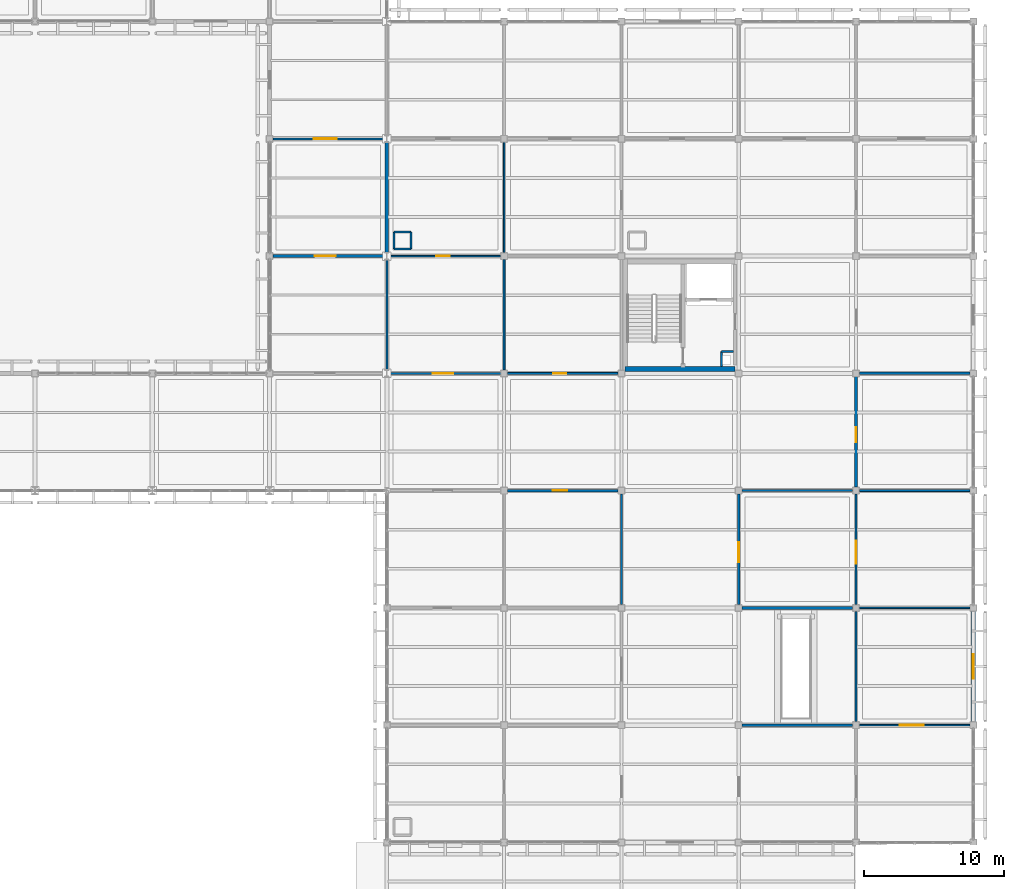
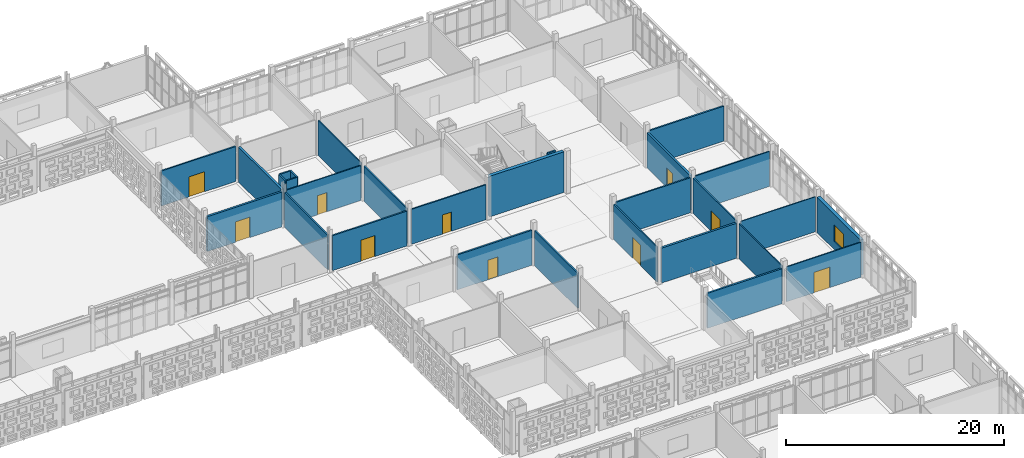
# One storey, part 127 of 203: 30 walls, 10 doors, 1 window, 11 openings.
"""IFC4 building model written with IfcOpenShell, lengths in metres."""

import ifcopenshell
import ifcopenshell.guid

model = None  # the IFC model being written
_history = None  # IfcOwnerHistory: only IFC2X3 demands one
_inside = {}  # id of a spatial element -> (the spatial element, [elements in it])
_under = {}  # id of a project, library or spatial element -> (it, [spatial elements below it])
_declared = {}  # id of a project -> (the project, [libraries it declares])
_typed = {}  # id of a type object -> (the type object, [elements of that type])
_made_of = {}  # id of a material, layer set ... -> (it, [elements and type objects made of it])


def new_model(schema):
    """Start an empty IFC model of exactly this schema.

    Asked for "IFC4X3", IfcOpenShell would pick the latest addendum, in which some entities
    have other attributes; the version numbers below select the first issue.
    IFC2X3 requires an IfcOwnerHistory on every rooted entity: one is made here for all.
    """
    global model, _history
    if schema == "IFC4X3":
        model = ifcopenshell.file(schema_version=(4, 3, 0, 0))
    else:
        model = ifcopenshell.file(schema=schema)
    _inside.clear()
    _under.clear()
    _declared.clear()
    _typed.clear()
    _made_of.clear()
    _history = None
    if model.schema == "IFC2X3":
        org = make("IfcOrganization", Name="unknown")
        user = make(
            "IfcPersonAndOrganization",
            ThePerson=make("IfcPerson", FamilyName="unknown"),
            TheOrganization=org,
        )
        app = make(
            "IfcApplication",
            ApplicationDeveloper=org,
            Version="unknown",
            ApplicationFullName="unknown",
            ApplicationIdentifier="unknown",
        )
        _history = make(
            "IfcOwnerHistory",
            OwningUser=user,
            OwningApplication=app,
            ChangeAction="ADDED",
            CreationDate=0,
        )
    return model


def make(cls, **values):
    """One entity of the class cls with the attributes given. An attribute that is None is left unset."""
    return model.create_entity(
        cls, **{name: value for name, value in values.items() if value is not None}
    )


def rooted(cls, **values):
    """An entity with a GlobalId (a new one), such as an element, a storey or a relation."""
    return make(cls, GlobalId=ifcopenshell.guid.new(), OwnerHistory=_history, **values)


def si_unit(unit_type, name, prefix=None):
    """IfcSIUnit, for example si_unit("LENGTHUNIT", "METRE", prefix="MILLI")."""
    return make("IfcSIUnit", UnitType=unit_type, Prefix=prefix, Name=name)


def assignment(units):
    """IfcUnitAssignment: the units of a project."""
    return None if units is None else make("IfcUnitAssignment", Units=units)


def point(xyz):
    """IfcCartesianPoint."""
    return None if xyz is None else make("IfcCartesianPoint", Coordinates=xyz)


def direction(xyz):
    """IfcDirection."""
    return None if xyz is None else make("IfcDirection", DirectionRatios=xyz)


def frame(location, z_axis=None, x_axis=None):
    """IfcAxis2Placement3D, a coordinate frame: its origin and axes. An axis left out is left unset."""
    return make(
        "IfcAxis2Placement3D",
        Location=point(location),
        Axis=direction(z_axis),
        RefDirection=direction(x_axis),
    )


def frame_2d(location, x_axis=None):
    """IfcAxis2Placement2D, a coordinate frame in the plane: its origin and x axis."""
    return make(
        "IfcAxis2Placement2D", Location=point(location), RefDirection=direction(x_axis)
    )


def origin():
    """The frame at (0, 0, 0) with its axes left unset."""
    return frame((0.0, 0.0, 0.0))


def place(relative_to, where):
    """IfcLocalPlacement: puts the frame where relative to a parent placement (None: the world)."""
    return make(
        "IfcLocalPlacement", PlacementRelTo=relative_to, RelativePlacement=where
    )


def context(
    kind, dimensions, precision=None, world=None, true_north=None, identifier=None
):
    """IfcGeometricRepresentationContext, for example the 3D "Model" context."""
    return make(
        "IfcGeometricRepresentationContext",
        ContextIdentifier=identifier,
        ContextType=kind,
        CoordinateSpaceDimension=dimensions,
        Precision=precision,
        WorldCoordinateSystem=world,
        TrueNorth=true_north,
    )


def subcontext(parent, identifier, kind, view, scale=None):
    """IfcGeometricRepresentationSubContext, for example "Body" below "Model"."""
    return make(
        "IfcGeometricRepresentationSubContext",
        ContextIdentifier=identifier,
        ContextType=kind,
        ParentContext=parent,
        TargetScale=scale,
        TargetView=view,
    )


def project(units=None, contexts=None):
    """IfcProject with its units and contexts."""
    return rooted(
        "IfcProject",
        Name="project",
        RepresentationContexts=contexts,
        UnitsInContext=assignment(units),
    )


def spatial(cls, under=None, at=None, **own):
    """A site, building, storey or space (cls), placed at a placement, below another one or the project."""
    s = rooted(cls, ObjectPlacement=at, **own)
    if under is not None:
        _under.setdefault(under.id(), (under, []))[1].append(s)
    return s


def profile(cls, at=None, kind="AREA", **sizes):
    """A parametric profile (cls). Its sizes go by their IFC names, for example OverallWidth=200.0."""
    return make(cls, ProfileType=kind, Position=at, **sizes)


def rectangle(**sizes):
    """IfcRectangleProfileDef."""
    return profile("IfcRectangleProfileDef", **sizes)


def extrude(swept, where, along, depth):
    """IfcExtrudedAreaSolid: the profile swept, set in the frame where, extruded along a direction by depth."""
    return make(
        "IfcExtrudedAreaSolid",
        SweptArea=swept,
        Position=where,
        ExtrudedDirection=direction(along),
        Depth=depth,
    )


def shape(context_of_items, identifier, shape_type, items):
    """IfcShapeRepresentation: the items that make up one representation, for example the "Body"."""
    return make(
        "IfcShapeRepresentation",
        ContextOfItems=context_of_items,
        RepresentationIdentifier=identifier,
        RepresentationType=shape_type,
        Items=items,
    )


def material(Name=None, Category=None):
    """IfcMaterial."""
    return make("IfcMaterial", Name=Name, Category=Category)


def layer(
    of_material, thickness, ventilated=None, Name=None, Category=None, Priority=None
):
    """IfcMaterialLayer: one layer of a wall or slab, of a material (None: an air gap)."""
    return make(
        "IfcMaterialLayer",
        Material=of_material,
        LayerThickness=thickness,
        IsVentilated=ventilated,
        Name=Name,
        Category=Category,
        Priority=Priority,
    )


def layer_set(layers, Name=None):
    """IfcMaterialLayerSet."""
    return make("IfcMaterialLayerSet", MaterialLayers=layers, LayerSetName=Name)


def made_of(thing, what):
    """Note that an element or type object is made of a material, layer set ...; save() writes the relation."""
    if what is not None:
        _made_of.setdefault(what.id(), (what, []))[1].append(thing)
    return thing


def type_object(cls, material=None, **own):
    """A type object (cls), such as IfcWallType, which elements share."""
    return made_of(rooted(cls, **own), material)


def element(
    cls,
    number,
    at=None,
    inside=None,
    cuts=None,
    type_object=None,
    material=None,
    context=None,
    identifier="Body",
    shape_type=None,
    held_by="IfcProductDefinitionShape",
    body=None,
    shapes=None,
    **own,
):
    """One element of the class cls, such as IfcWall. Its Tag is "e" and its number.

    at: its placement. inside: the storey or other place that contains it. cuts: it is an
    opening in that element (IfcRelVoidsElement). A single representation is given by context,
    identifier, shape_type and body (its items); several are given by shapes. held_by: the class
    of the entity that holds the representations. save() writes the other relations.
    """
    e = rooted(cls, Tag="e%d" % number, ObjectPlacement=at, **own)
    if body is not None:
        shapes = [shape(context, identifier, shape_type, body)]
    if shapes is not None:
        e.Representation = make(held_by, Representations=shapes)
    if inside is not None:
        _inside.setdefault(inside.id(), (inside, []))[1].append(e)
    if cuts is not None:
        rooted(
            "IfcRelVoidsElement", RelatingBuildingElement=cuts, RelatedOpeningElement=e
        )
    if type_object is not None:
        _typed.setdefault(type_object.id(), (type_object, []))[1].append(e)
    return made_of(e, material)


def fill(opening, filler):
    """IfcRelFillsElement: the door or window that sits in an opening."""
    return rooted(
        "IfcRelFillsElement",
        RelatingOpeningElement=opening,
        RelatedBuildingElement=filler,
    )


def aggregate(whole, parts):
    """IfcRelAggregates: a whole, such as a stair, and the parts it consists of."""
    return rooted("IfcRelAggregates", RelatingObject=whole, RelatedObjects=parts)


def save(model, path):
    """Write the relations noted so far, then the file.

    IfcRelAggregates (storeys below a building ...), IfcRelContainedInSpatialStructure (elements
    in a storey), IfcRelDefinesByType, IfcRelAssociatesMaterial and IfcRelDeclares: one each for
    every whole, place, type object, material and project.
    """
    for whole, parts in _under.values():
        aggregate(whole, parts)
    for where, things in _inside.values():
        rooted(
            "IfcRelContainedInSpatialStructure",
            RelatedElements=things,
            RelatingStructure=where,
        )
    for kind, things in _typed.values():
        rooted("IfcRelDefinesByType", RelatedObjects=things, RelatingType=kind)
    for what, things in _made_of.values():
        rooted("IfcRelAssociatesMaterial", RelatedObjects=things, RelatingMaterial=what)
    for by, libraries in _declared.values():
        rooted("IfcRelDeclares", RelatingContext=by, RelatedDefinitions=libraries)
    model.write(path)


model = new_model("IFC4")

# Units and contexts
model_context = context("Model", 3, precision=1e-05, world=origin(), true_north=direction((0.0, 1.0)))
body_context = subcontext(model_context, "Body", "Model", "MODEL_VIEW")
ifc_project = project(units=[si_unit("LENGTHUNIT", "METRE"), si_unit("AREAUNIT", "SQUARE_METRE"), si_unit("VOLUMEUNIT", "CUBIC_METRE"), si_unit("PLANEANGLEUNIT", "RADIAN"), si_unit("MASSUNIT", "GRAM", prefix="KILO")], contexts=[model_context])

# Site, building, storey
site_placement = place(None, origin())
site = spatial("IfcSite", under=ifc_project, at=site_placement, CompositionType="ELEMENT")
building_placement = place(site_placement, origin())
building = spatial("IfcBuilding", under=site, at=building_placement, Name="Varnapada Polytechnic", CompositionType="ELEMENT")
storey_placement = place(building_placement, frame((0.0, 0.0, 4.800048828125)))
storey = spatial("IfcBuildingStorey", under=building, at=storey_placement, Name="L01", CompositionType="ELEMENT", Elevation=4.800048828125)

# Walls
ifc_material_1 = material(Name="Autoclaved Aerated Concrete Block AAC-600", Category="concrete")
ifc_layer_1 = layer(ifc_material_1, 0.14990234375)
ifc_layer_set_1 = layer_set([ifc_layer_1], Name="Autoclaved Aerated Concrete Block AAC-600")
wall_type_1 = type_object("IfcWallType", Name="Interior Wall IW-02", PredefinedType="PARTITIONING", material=ifc_layer_set_1)
wall_1_placement = place(storey_placement, frame((158.3798828125, 93.9599609375, 0.0), z_axis=(0.0, 0.0, 1.0), x_axis=(0.0, -1.0, 0.0)))
element("IfcWall", 1, at=wall_1_placement, inside=storey, type_object=wall_type_1, Name="L01 C5 riser shaft west wall", PredefinedType="PARTITIONING", context=body_context, shape_type="SweptSolid", body=[
    extrude(rectangle(XDim=1.06005859375, YDim=0.14990234375, at=frame_2d((0.530029296875, 0.0))), origin(), (0.0, 0.0, 1.0), 3.919921875),
])
wall_2_placement = place(storey_placement, frame((158.3798828125, 93.9599609375, 0.0), z_axis=(0.0, 0.0, 1.0), x_axis=(1.0, 0.0, 0.0)))
element("IfcWall", 2, at=wall_2_placement, inside=storey, type_object=wall_type_1, Name="L01 C5 riser shaft north wall", PredefinedType="PARTITIONING", context=body_context, shape_type="SweptSolid", body=[
    extrude(rectangle(XDim=0.860107421875, YDim=0.14990234375, at=frame_2d((0.43017578125, 0.0))), origin(), (0.0, 0.0, 1.0), 3.919921875),
])
wall_3_placement = place(storey_placement, frame((134.919921875, 101.320068359375, 0.0), z_axis=(0.0, 0.0, 1.0), x_axis=(1.0, 0.0, 0.0)))
element("IfcWall", 3, at=wall_3_placement, inside=storey, type_object=wall_type_1, Name="L01 enclosed service riser wall (17,13) S", PredefinedType="PARTITIONING", context=body_context, shape_type="SweptSolid", body=[
    extrude(rectangle(XDim=1.2001953125, YDim=0.14990234375, at=frame_2d((0.60009765625, 0.0))), origin(), (0.0, 0.0, 1.0), 4.550048828125),
])
wall_4_placement = place(storey_placement, frame((136.1201171875, 101.320068359375, 0.0), z_axis=(0.0, 0.0, 1.0), x_axis=(0.0, 1.0, 0.0)))
element("IfcWall", 4, at=wall_4_placement, inside=storey, type_object=wall_type_1, Name="L01 enclosed service riser wall (17,13) E", PredefinedType="PARTITIONING", context=body_context, shape_type="SweptSolid", body=[
    extrude(rectangle(XDim=1.199951171875, YDim=0.14990234375, at=frame_2d((0.60009765625, 0.0))), origin(), (0.0, 0.0, 1.0), 4.550048828125),
])
wall_5_placement = place(storey_placement, frame((136.1201171875, 102.52001953125, 0.0), z_axis=(0.0, 0.0, 1.0), x_axis=(-1.0, 0.0, 0.0)))
element("IfcWall", 5, at=wall_5_placement, inside=storey, type_object=wall_type_1, Name="L01 enclosed service riser wall (17,13) N", PredefinedType="PARTITIONING", context=body_context, shape_type="SweptSolid", body=[
    extrude(rectangle(XDim=1.2001953125, YDim=0.14990234375, at=frame_2d((0.60009765625, 0.0))), origin(), (0.0, 0.0, 1.0), 4.550048828125),
])
wall_6_placement = place(storey_placement, frame((134.919921875, 102.52001953125, 0.0), z_axis=(0.0, 0.0, 1.0), x_axis=(0.0, -1.0, 0.0)))
element("IfcWall", 6, at=wall_6_placement, inside=storey, type_object=wall_type_1, Name="L01 enclosed service riser wall (17,13) W", PredefinedType="PARTITIONING", context=body_context, shape_type="SweptSolid", body=[
    extrude(rectangle(XDim=1.199951171875, YDim=0.14990234375, at=frame_2d((0.60009765625, 0.0))), origin(), (0.0, 0.0, 1.0), 4.550048828125),
])

# Wall, opening, door
wall_7_placement = place(storey_placement, frame((126.22998046875, 109.199951171875, 0.0), z_axis=(0.0, 0.0, 1.0), x_axis=(1.0, 0.0, 0.0)))
wall_7 = element("IfcWall", 7, at=wall_7_placement, inside=storey, type_object=wall_type_1, Name="L01 interior partition IW-L01-15-12-H", PredefinedType="PARTITIONING", context=body_context, shape_type="SweptSolid", body=[
    extrude(rectangle(XDim=7.89990234375, YDim=0.14990234375, at=frame_2d((3.949951171875, 0.0))), origin(), (0.0, 0.0, 1.0), 3.919921875),
])
opening_1_placement = place(wall_7_placement, frame((2.925048828125, 0.0, 0.0)))
opening_1 = element("IfcOpeningElement", 8, at=opening_1_placement, cuts=wall_7, Name="Opening D-1043", PredefinedType="OPENING", context=body_context, shape_type="SweptSolid", body=[
    extrude(rectangle(XDim=1.64990234375, YDim=2.25, at=frame_2d((0.824951171875, 1.125))), frame((0.0, 0.0849609375, 0.0), z_axis=(0.0, -1.0, 0.0), x_axis=(1.0, 0.0, 0.0)), (0.0, 0.0, 1.0), 0.169921875),
])
ifc_material_2 = material(Name="Solid Teak Hardwood Timber", Category="wood")
door_type_1 = type_object("IfcDoorType", Name="Interior Door ID-08", OperationType="NOTDEFINED", PredefinedType="DOOR", material=ifc_material_2)
door_1_placement = place(opening_1_placement, frame((1.64990234375, 0.0, 0.0), z_axis=(0.0, 0.0, 1.0), x_axis=(-1.0, 0.0, 0.0)))
door_1 = element("IfcDoor", 9, at=door_1_placement, inside=storey, type_object=door_type_1, Name="L01 interior room door D-1043", OperationType="SINGLE_SWING_RIGHT", OverallHeight=2.25, OverallWidth=1.64990234375, PredefinedType="DOOR", context=body_context, shape_type="SweptSolid", body=[
    extrude(rectangle(XDim=1.64990234375, YDim=2.25, at=frame_2d((0.824951171875, 1.125))), frame((0.0, 0.02490234375, 0.0), z_axis=(0.0, -1.0, 0.0), x_axis=(1.0, 0.0, 0.0)), (0.0, 0.0, 1.0), 0.050048828125),
])
fill(opening_1, door_1)

wall_8_placement = place(storey_placement, frame((159.60009765625, 75.840087890625, 0.0), z_axis=(0.0, 0.0, 1.0), x_axis=(0.0, 1.0, 0.0)))
wall_8 = element("IfcWall", 10, at=wall_8_placement, inside=storey, type_object=wall_type_1, Name="L01 interior partition IW-L01-18-09-V", PredefinedType="PARTITIONING", context=body_context, shape_type="SweptSolid", body=[
    extrude(rectangle(XDim=7.909912109375, YDim=0.14990234375, at=frame_2d((3.955078125, 0.0))), origin(), (0.0, 0.0, 1.0), 3.919921875),
])
opening_2_placement = place(wall_8_placement, frame((3.02490234375, 0.0, 0.0)))
opening_2 = element("IfcOpeningElement", 11, at=opening_2_placement, cuts=wall_8, Name="Opening D-1070", PredefinedType="OPENING", context=body_context, shape_type="SweptSolid", body=[
    extrude(rectangle(XDim=1.449951171875, YDim=2.35009765625, at=frame_2d((0.72509765625, 1.175048828125))), frame((0.0, 0.0849609375, 0.0), z_axis=(0.0, -1.0, 0.0), x_axis=(1.0, 0.0, 0.0)), (0.0, 0.0, 1.0), 0.169921875),
])
ifc_material_3 = material(Name="Galvanized Steel Z275", Category="steel")
door_type_2 = type_object("IfcDoorType", Name="Interior Door ID-18", OperationType="NOTDEFINED", PredefinedType="DOOR", material=ifc_material_3)
door_2_placement = place(opening_2_placement, frame((1.449951171875, 0.0, 0.0), z_axis=(0.0, 0.0, 1.0), x_axis=(-1.0, 0.0, 0.0)))
door_2 = element("IfcDoor", 12, at=door_2_placement, inside=storey, type_object=door_type_2, Name="L01 interior room door D-1070", OperationType="SINGLE_SWING_LEFT", OverallHeight=2.35009765625, OverallWidth=1.449951171875, PredefinedType="DOOR", context=body_context, shape_type="SweptSolid", body=[
    extrude(rectangle(XDim=1.449951171875, YDim=2.35009765625, at=frame_2d((0.72509765625, 1.175048828125))), frame((0.0, 0.02490234375, 0.0), z_axis=(0.0, -1.0, 0.0), x_axis=(1.0, 0.0, 0.0)), (0.0, 0.0, 1.0), 0.050048828125),
])
fill(opening_2, door_2)

# Wall
ifc_material_4 = material(Name="Moisture-Resistant Cement Board Partition")
ifc_layer_2 = layer(ifc_material_4, 0.139892578125)
ifc_layer_set_2 = layer_set([ifc_layer_2], Name="Moisture-Resistant Cement Board Partition")
wall_type_2 = type_object("IfcWallType", Name="Interior Wall IW-04", PredefinedType="PARTITIONING", material=ifc_layer_set_2)
wall_9_placement = place(storey_placement, frame((142.800048828125, 92.639892578125, 0.0), z_axis=(0.0, 0.0, 1.0), x_axis=(0.0, 1.0, 0.0)))
element("IfcWall", 13, at=wall_9_placement, inside=storey, type_object=wall_type_2, Name="L01 interior partition IW-L01-16-11-V", PredefinedType="PARTITIONING", context=body_context, shape_type="SweptSolid", body=[
    extrude(rectangle(XDim=7.91015625, YDim=0.139892578125, at=frame_2d((3.955078125, 0.0))), origin(), (0.0, 0.0, 1.0), 3.919921875),
])

# Wall, opening, door
wall_10_placement = place(storey_placement, frame((143.0400390625, 92.39990234375, 0.0), z_axis=(0.0, 0.0, 1.0), x_axis=(1.0, 0.0, 0.0)))
wall_10 = element("IfcWall", 14, at=wall_10_placement, inside=storey, type_object=wall_type_2, Name="L01 interior partition IW-L01-17-10-H", PredefinedType="PARTITIONING", context=body_context, shape_type="SweptSolid", body=[
    extrude(rectangle(XDim=7.919921875, YDim=0.139892578125, at=frame_2d((3.9599609375, 0.0))), origin(), (0.0, 0.0, 1.0), 3.919921875),
])
opening_3_placement = place(wall_10_placement, frame((3.27490234375, 0.0, 0.0)))
opening_3 = element("IfcOpeningElement", 15, at=opening_3_placement, cuts=wall_10, Name="Opening D-1062", PredefinedType="OPENING", context=body_context, shape_type="SweptSolid", body=[
    extrude(rectangle(XDim=0.949951171875, YDim=2.14990234375, at=frame_2d((0.47509765625, 1.074951171875))), frame((0.0, 0.079833984375, 0.0), z_axis=(0.0, -1.0, 0.0), x_axis=(1.0, 0.0, 0.0)), (0.0, 0.0, 1.0), 0.159912109375),
])
ifc_material_5 = material(Name="Moisture-Resistant HPL Timber", Category="wood")
door_type_3 = type_object("IfcDoorType", Name="Interior Door ID-03", OperationType="NOTDEFINED", PredefinedType="DOOR", material=ifc_material_5)
door_3_placement = place(opening_3_placement, origin())
door_3 = element("IfcDoor", 16, at=door_3_placement, inside=storey, type_object=door_type_3, Name="L01 interior room door D-1062", OperationType="SINGLE_SWING_LEFT", OverallHeight=2.14990234375, OverallWidth=0.949951171875, PredefinedType="DOOR", context=body_context, shape_type="SweptSolid", body=[
    extrude(rectangle(XDim=0.949951171875, YDim=2.14990234375, at=frame_2d((0.47509765625, 1.074951171875))), frame((0.0, 0.02490234375, 0.0), z_axis=(0.0, -1.0, 0.0), x_axis=(1.0, 0.0, 0.0)), (0.0, 0.0, 1.0), 0.050048828125),
])
fill(opening_3, door_3)

ifc_material_6 = material(Name="Cross-laminated timber CLT C24", Category="wood")
ifc_layer_3 = layer(ifc_material_6, 0.159912109375)
ifc_layer_set_3 = layer_set([ifc_layer_3], Name="Cross-laminated timber CLT C24")
wall_type_3 = type_object("IfcWallType", Name="Interior Wall IW-05", PredefinedType="PARTITIONING", material=ifc_layer_set_3)
wall_11_placement = place(storey_placement, frame((134.669921875, 92.39990234375, 0.0), z_axis=(0.0, 0.0, 1.0), x_axis=(1.0, 0.0, 0.0)))
wall_11 = element("IfcWall", 17, at=wall_11_placement, inside=storey, type_object=wall_type_3, Name="L01 interior partition IW-L01-16-10-H", PredefinedType="PARTITIONING", context=body_context, shape_type="SweptSolid", body=[
    extrude(rectangle(XDim=7.89013671875, YDim=0.159912109375, at=frame_2d((3.945068359375, 0.0))), origin(), (0.0, 0.0, 1.0), 3.909912109375),
])
opening_4_placement = place(wall_11_placement, frame((3.02490234375, 0.0, 0.0)))
opening_4 = element("IfcOpeningElement", 18, at=opening_4_placement, cuts=wall_11, Name="Opening D-1053", PredefinedType="OPENING", context=body_context, shape_type="SweptSolid", body=[
    extrude(rectangle(XDim=1.449951171875, YDim=2.35009765625, at=frame_2d((0.72509765625, 1.175048828125))), frame((0.0, 0.08984375, 0.0), z_axis=(0.0, -1.0, 0.0), x_axis=(1.0, 0.0, 0.0)), (0.0, 0.0, 1.0), 0.179931640625),
])
door_4_placement = place(opening_4_placement, origin())
door_4 = element("IfcDoor", 19, at=door_4_placement, inside=storey, type_object=door_type_2, Name="L01 interior room door D-1053", OperationType="SINGLE_SWING_RIGHT", OverallHeight=2.35009765625, OverallWidth=1.449951171875, PredefinedType="DOOR", context=body_context, shape_type="SweptSolid", body=[
    extrude(rectangle(XDim=1.449951171875, YDim=2.35009765625, at=frame_2d((0.72509765625, 1.175048828125))), frame((0.0, 0.02490234375, 0.0), z_axis=(0.0, -1.0, 0.0), x_axis=(1.0, 0.0, 0.0)), (0.0, 0.0, 1.0), 0.050048828125),
])
fill(opening_4, door_4)

# Wall
wall_12_placement = place(storey_placement, frame((151.199951171875, 75.840087890625, 0.0), z_axis=(0.0, 0.0, 1.0), x_axis=(0.0, 1.0, 0.0)))
element("IfcWall", 20, at=wall_12_placement, inside=storey, type_object=wall_type_3, Name="L01 interior partition IW-L01-17-09-V", PredefinedType="PARTITIONING", context=body_context, shape_type="SweptSolid", body=[
    extrude(rectangle(XDim=7.909912109375, YDim=0.159912109375, at=frame_2d((3.955078125, 0.0))), origin(), (0.0, 0.0, 1.0), 3.919921875),
])

# Wall, opening, door
ifc_material_7 = material(Name="Acoustic Double-Stud Studio Partition")
ifc_layer_4 = layer(ifc_material_7, 0.179931640625)
ifc_layer_set_4 = layer_set([ifc_layer_4], Name="Acoustic Double-Stud Studio Partition")
wall_type_4 = type_object("IfcWallType", Name="Interior Wall IW-06", PredefinedType="PARTITIONING", material=ifc_layer_set_4)
wall_13_placement = place(storey_placement, frame((143.050048828125, 84.0, 0.0), z_axis=(0.0, 0.0, 1.0), x_axis=(1.0, 0.0, 0.0)))
wall_13 = element("IfcWall", 21, at=wall_13_placement, inside=storey, type_object=wall_type_4, Name="L01 interior partition IW-L01-17-09-H", PredefinedType="PARTITIONING", context=body_context, shape_type="SweptSolid", body=[
    extrude(rectangle(XDim=7.89990234375, YDim=0.179931640625, at=frame_2d((3.949951171875, 0.0))), origin(), (0.0, 0.0, 1.0), 3.919921875),
])
opening_5_placement = place(wall_13_placement, frame((3.22509765625, 0.0, 0.0)))
opening_5 = element("IfcOpeningElement", 22, at=opening_5_placement, cuts=wall_13, Name="Opening D-1061", PredefinedType="OPENING", context=body_context, shape_type="SweptSolid", body=[
    extrude(rectangle(XDim=1.050048828125, YDim=2.199951171875, at=frame_2d((0.52490234375, 1.10009765625))), frame((0.0, 0.099853515625, 0.0), z_axis=(0.0, -1.0, 0.0), x_axis=(1.0, 0.0, 0.0)), (0.0, 0.0, 1.0), 0.199951171875),
])
door_type_4 = type_object("IfcDoorType", Name="Interior Door ID-09", OperationType="NOTDEFINED", PredefinedType="DOOR", material=ifc_material_2)
door_5_placement = place(opening_5_placement, frame((1.050048828125, 0.0, 0.0), z_axis=(0.0, 0.0, 1.0), x_axis=(-1.0, 0.0, 0.0)))
door_5 = element("IfcDoor", 23, at=door_5_placement, inside=storey, type_object=door_type_4, Name="L01 interior room door D-1061", OperationType="SINGLE_SWING_RIGHT", OverallHeight=2.199951171875, OverallWidth=1.050048828125, PredefinedType="DOOR", context=body_context, shape_type="SweptSolid", body=[
    extrude(rectangle(XDim=1.050048828125, YDim=2.199951171875, at=frame_2d((0.52490234375, 1.10009765625))), frame((0.0, 0.02490234375, 0.0), z_axis=(0.0, -1.0, 0.0), x_axis=(1.0, 0.0, 0.0)), (0.0, 0.0, 1.0), 0.050048828125),
])
fill(opening_5, door_5)

ifc_material_8 = material(Name="Glazed Timber-Framed Studio Screen", Category="wood")
ifc_layer_5 = layer(ifc_material_8, 0.110107421875)
ifc_layer_set_5 = layer_set([ifc_layer_5], Name="Glazed Timber-Framed Studio Screen")
wall_type_5 = type_object("IfcWallType", Name="Interior Wall IW-07", PredefinedType="PARTITIONING", material=ifc_layer_set_5)
wall_14_placement = place(storey_placement, frame((134.669921875, 100.800048828125, 0.0), z_axis=(0.0, 0.0, 1.0), x_axis=(1.0, 0.0, 0.0)))
wall_14 = element("IfcWall", 24, at=wall_14_placement, inside=storey, type_object=wall_type_5, Name="L01 interior partition IW-L01-16-11-H", PredefinedType="PARTITIONING", context=body_context, shape_type="SweptSolid", body=[
    extrude(rectangle(XDim=7.880126953125, YDim=0.110107421875, at=frame_2d((3.93994140625, 0.0))), origin(), (0.0, 0.0, 1.0), 3.909912109375),
])
opening_6_placement = place(wall_14_placement, frame((3.25, 0.0, 0.0)))
opening_6 = element("IfcOpeningElement", 25, at=opening_6_placement, cuts=wall_14, Name="Opening D-1054", PredefinedType="OPENING", context=body_context, shape_type="SweptSolid", body=[
    extrude(rectangle(XDim=1.0, YDim=2.14990234375, at=frame_2d((0.5, 1.074951171875))), frame((0.0, 0.06494140625, 0.0), z_axis=(0.0, -1.0, 0.0), x_axis=(1.0, 0.0, 0.0)), (0.0, 0.0, 1.0), 0.130126953125),
])
door_type_5 = type_object("IfcDoorType", Name="Interior Door ID-02", OperationType="NOTDEFINED", PredefinedType="DOOR", material=ifc_material_2)
door_6_placement = place(opening_6_placement, origin())
door_6 = element("IfcDoor", 26, at=door_6_placement, inside=storey, type_object=door_type_5, Name="L01 interior room door D-1054", OperationType="SINGLE_SWING_LEFT", OverallHeight=2.14990234375, OverallWidth=1.0, PredefinedType="DOOR", context=body_context, shape_type="SweptSolid", body=[
    extrude(rectangle(XDim=1.0, YDim=2.14990234375, at=frame_2d((0.5, 1.074951171875))), frame((0.0, 0.02490234375, 0.0), z_axis=(0.0, -1.0, 0.0), x_axis=(1.0, 0.0, 0.0)), (0.0, 0.0, 1.0), 0.050048828125),
])
fill(opening_6, door_6)

wall_15_placement = place(storey_placement, frame((168.25, 67.199951171875, 0.0), z_axis=(0.0, 0.0, 1.0), x_axis=(1.0, 0.0, 0.0)))
wall_15 = element("IfcWall", 27, at=wall_15_placement, inside=storey, type_object=wall_type_5, Name="L01 interior partition IW-L01-20-07-H", PredefinedType="PARTITIONING", context=body_context, shape_type="SweptSolid", body=[
    extrude(rectangle(XDim=7.89990234375, YDim=0.110107421875, at=frame_2d((3.949951171875, 0.0))), origin(), (0.0, 0.0, 1.0), 3.919921875),
])
opening_7_placement = place(wall_15_placement, frame((2.89990234375, 0.0, 0.0)))
opening_7 = element("IfcOpeningElement", 28, at=opening_7_placement, cuts=wall_15, Name="Opening D-1082", PredefinedType="OPENING", context=body_context, shape_type="SweptSolid", body=[
    extrude(rectangle(XDim=1.699951171875, YDim=2.300048828125, at=frame_2d((0.85009765625, 1.14990234375))), frame((0.0, 0.06494140625, 0.0), z_axis=(0.0, -1.0, 0.0), x_axis=(1.0, 0.0, 0.0)), (0.0, 0.0, 1.0), 0.130126953125),
])
ifc_material_9 = material(Name="Acoustic Double Timber Leaf", Category="wood")
door_type_6 = type_object("IfcDoorType", Name="Interior Door ID-13", OperationType="NOTDEFINED", PredefinedType="DOOR", material=ifc_material_9)
door_7_placement = place(opening_7_placement, frame((1.699951171875, 0.0, 0.0), z_axis=(0.0, 0.0, 1.0), x_axis=(-1.0, 0.0, 0.0)))
door_7 = element("IfcDoor", 29, at=door_7_placement, inside=storey, type_object=door_type_6, Name="L01 interior room door D-1082", OperationType="SINGLE_SWING_LEFT", OverallHeight=2.300048828125, OverallWidth=1.699951171875, PredefinedType="DOOR", context=body_context, shape_type="SweptSolid", body=[
    extrude(rectangle(XDim=1.699951171875, YDim=2.300048828125, at=frame_2d((0.85009765625, 1.14990234375))), frame((0.0, 0.02490234375, 0.0), z_axis=(0.0, -1.0, 0.0), x_axis=(1.0, 0.0, 0.0)), (0.0, 0.0, 1.0), 0.050048828125),
])
fill(opening_7, door_7)

# Walls
ifc_material_10 = material(Name="Operable Acoustic Seminar Partition")
ifc_layer_6 = layer(ifc_material_10, 0.10009765625)
ifc_layer_set_6 = layer_set([ifc_layer_6], Name="Operable Acoustic Seminar Partition")
wall_type_6 = type_object("IfcWallType", Name="Interior Wall IW-08", PredefinedType="MOVABLE", material=ifc_layer_set_6)
wall_16_placement = place(storey_placement, frame((142.800048828125, 101.050048828125, 0.0), z_axis=(0.0, 0.0, 1.0), x_axis=(0.0, 1.0, 0.0)))
element("IfcWall", 30, at=wall_16_placement, inside=storey, type_object=wall_type_6, Name="L01 interior partition IW-L01-16-12-V", PredefinedType="MOVABLE", context=body_context, shape_type="SweptSolid", body=[
    extrude(rectangle(XDim=7.909912109375, YDim=0.10009765625, at=frame_2d((3.955078125, 0.0))), origin(), (0.0, 0.0, 1.0), 3.919921875),
])
wall_17_placement = place(storey_placement, frame((168.239990234375, 75.60009765625, 0.0), z_axis=(0.0, 0.0, 1.0), x_axis=(1.0, 0.0, 0.0)))
element("IfcWall", 31, at=wall_17_placement, inside=storey, type_object=wall_type_6, Name="L01 interior partition IW-L01-20-08-H", PredefinedType="MOVABLE", context=body_context, shape_type="SweptSolid", body=[
    extrude(rectangle(XDim=7.919921875, YDim=0.10009765625, at=frame_2d((3.9599609375, 0.0))), origin(), (0.0, 0.0, 1.0), 3.919921875),
])
ifc_material_11 = material(Name="Calcium Silicate Acoustic Lab Partition")
ifc_layer_7 = layer(ifc_material_11, 0.135009765625)
ifc_layer_set_7 = layer_set([ifc_layer_7], Name="Calcium Silicate Acoustic Lab Partition")
wall_type_7 = type_object("IfcWallType", Name="Interior Wall IW-09", PredefinedType="PARTITIONING", material=ifc_layer_set_7)
wall_18_placement = place(storey_placement, frame((168.25, 84.0, 0.0), z_axis=(0.0, 0.0, 1.0), x_axis=(1.0, 0.0, 0.0)))
element("IfcWall", 32, at=wall_18_placement, inside=storey, type_object=wall_type_7, Name="L01 interior partition IW-L01-20-09-H", PredefinedType="PARTITIONING", context=body_context, shape_type="SweptSolid", body=[
    extrude(rectangle(XDim=7.89990234375, YDim=0.135009765625, at=frame_2d((3.949951171875, 0.0))), origin(), (0.0, 0.0, 1.0), 3.919921875),
])
ifc_material_12 = material(Name="Double-Layer Fireboard Workshop Wall")
ifc_layer_8 = layer(ifc_material_12, 0.169921875)
ifc_layer_set_8 = layer_set([ifc_layer_8], Name="Double-Layer Fireboard Workshop Wall")
wall_type_8 = type_object("IfcWallType", Name="Interior Wall IW-10", PredefinedType="PARTITIONING", material=ifc_layer_set_8)
wall_19_placement = place(storey_placement, frame((168.239990234375, 92.39990234375, 0.0), z_axis=(0.0, 0.0, 1.0), x_axis=(1.0, 0.0, 0.0)))
element("IfcWall", 33, at=wall_19_placement, inside=storey, type_object=wall_type_8, Name="L01 interior partition IW-L01-20-10-H", PredefinedType="PARTITIONING", context=body_context, shape_type="SweptSolid", body=[
    extrude(rectangle(XDim=7.919921875, YDim=0.169921875, at=frame_2d((3.9599609375, 0.0))), origin(), (0.0, 0.0, 1.0), 3.919921875),
])
ifc_material_13 = material(Name="Insulated Masonry Plant Room Wall", Category="masonry")
ifc_layer_9 = layer(ifc_material_13, 0.18994140625)
ifc_layer_set_9 = layer_set([ifc_layer_9], Name="Insulated Masonry Plant Room Wall")
wall_type_9 = type_object("IfcWallType", Name="Interior Wall IW-11", PredefinedType="PARTITIONING", material=ifc_layer_set_9)
wall_20_placement = place(storey_placement, frame((159.85009765625, 67.199951171875, 0.0), z_axis=(0.0, 0.0, 1.0), x_axis=(1.0, 0.0, 0.0)))
element("IfcWall", 34, at=wall_20_placement, inside=storey, type_object=wall_type_9, Name="L01 interior partition IW-L01-19-07-H", PredefinedType="PARTITIONING", context=body_context, shape_type="SweptSolid", body=[
    extrude(rectangle(XDim=7.89990234375, YDim=0.18994140625, at=frame_2d((3.949951171875, 0.0))), origin(), (0.0, 0.0, 1.0), 3.919921875),
])
ifc_material_14 = material(Name="Timber-Stud Studio Critique Partition", Category="wood")
ifc_layer_10 = layer(ifc_material_14, 0.114990234375)
ifc_layer_set_10 = layer_set([ifc_layer_10], Name="Timber-Stud Studio Critique Partition")
wall_type_10 = type_object("IfcWallType", Name="Interior Wall IW-12", PredefinedType="PARTITIONING", material=ifc_layer_set_10)
wall_21_placement = place(storey_placement, frame((168.0, 67.449951171875, 0.0), z_axis=(0.0, 0.0, 1.0), x_axis=(0.0, 1.0, 0.0)))
element("IfcWall", 35, at=wall_21_placement, inside=storey, type_object=wall_type_10, Name="L01 interior partition IW-L01-19-08-V", PredefinedType="PARTITIONING", context=body_context, shape_type="SweptSolid", body=[
    extrude(rectangle(XDim=7.91015625, YDim=0.114990234375, at=frame_2d((3.955078125, 0.0))), origin(), (0.0, 0.0, 1.0), 3.919921875),
])
ifc_material_15 = material(Name="Heavy Acoustic Auditorium Baffle Wall")
ifc_layer_11 = layer(ifc_material_15, 0.219970703125)
ifc_layer_set_11 = layer_set([ifc_layer_11], Name="Heavy Acoustic Auditorium Baffle Wall")
wall_type_11 = type_object("IfcWallType", Name="Interior Wall IW-13", PredefinedType="PARTITIONING", material=ifc_layer_set_11)
wall_22_placement = place(storey_placement, frame((159.840087890625, 75.60009765625, 0.0), z_axis=(0.0, 0.0, 1.0), x_axis=(1.0, 0.0, 0.0)))
element("IfcWall", 36, at=wall_22_placement, inside=storey, type_object=wall_type_11, Name="L01 interior partition IW-L01-19-08-H", PredefinedType="PARTITIONING", context=body_context, shape_type="SweptSolid", body=[
    extrude(rectangle(XDim=7.919921875, YDim=0.219970703125, at=frame_2d((3.9599609375, 0.0))), origin(), (0.0, 0.0, 1.0), 3.919921875),
])

# Wall, opening, door
ifc_material_16 = material(Name="Ceramic-Tiled Wet Laboratory Wall")
ifc_layer_12 = layer(ifc_material_16, 0.14501953125)
ifc_layer_set_12 = layer_set([ifc_layer_12], Name="Ceramic-Tiled Wet Laboratory Wall")
wall_type_12 = type_object("IfcWallType", Name="Interior Wall IW-14", PredefinedType="PARTITIONING", material=ifc_layer_set_12)
wall_23_placement = place(storey_placement, frame((168.0, 75.840087890625, 0.0), z_axis=(0.0, 0.0, 1.0), x_axis=(0.0, 1.0, 0.0)))
wall_23 = element("IfcWall", 37, at=wall_23_placement, inside=storey, type_object=wall_type_12, Name="L01 interior partition IW-L01-19-09-V", PredefinedType="PARTITIONING", context=body_context, shape_type="SweptSolid", body=[
    extrude(rectangle(XDim=7.909912109375, YDim=0.14501953125, at=frame_2d((3.955078125, 0.0))), origin(), (0.0, 0.0, 1.0), 3.919921875),
])
opening_8_placement = place(wall_23_placement, frame((2.925048828125, 0.0, 0.0)))
opening_8 = element("IfcOpeningElement", 38, at=opening_8_placement, cuts=wall_23, Name="Opening D-1077", PredefinedType="OPENING", context=body_context, shape_type="SweptSolid", body=[
    extrude(rectangle(XDim=1.64990234375, YDim=2.25, at=frame_2d((0.824951171875, 1.125))), frame((0.0, 0.08251953125, 0.0), z_axis=(0.0, -1.0, 0.0), x_axis=(1.0, 0.0, 0.0)), (0.0, 0.0, 1.0), 0.1650390625),
])
door_8_placement = place(opening_8_placement, origin())
door_8 = element("IfcDoor", 39, at=door_8_placement, inside=storey, type_object=door_type_1, Name="L01 interior room door D-1077", OperationType="SINGLE_SWING_RIGHT", OverallHeight=2.25, OverallWidth=1.64990234375, PredefinedType="DOOR", context=body_context, shape_type="SweptSolid", body=[
    extrude(rectangle(XDim=1.64990234375, YDim=2.25, at=frame_2d((0.824951171875, 1.125))), frame((0.0, 0.02490234375, 0.0), z_axis=(0.0, -1.0, 0.0), x_axis=(1.0, 0.0, 0.0)), (0.0, 0.0, 1.0), 0.050048828125),
])
fill(opening_8, door_8)

# Walls
ifc_material_17 = material(Name="Perforated Timber-Lined Seminar Wall", Category="wood")
ifc_layer_13 = layer(ifc_material_17, 0.155029296875)
ifc_layer_set_13 = layer_set([ifc_layer_13], Name="Perforated Timber-Lined Seminar Wall")
wall_type_13 = type_object("IfcWallType", Name="Interior Wall IW-15", PredefinedType="PARTITIONING", material=ifc_layer_set_13)
wall_24_placement = place(storey_placement, frame((134.39990234375, 92.669921875, 0.0), z_axis=(0.0, 0.0, 1.0), x_axis=(0.0, 1.0, 0.0)))
element("IfcWall", 40, at=wall_24_placement, inside=storey, type_object=wall_type_13, Name="L01 interior partition IW-L01-15-11-V", PredefinedType="PARTITIONING", context=body_context, shape_type="SweptSolid", body=[
    extrude(rectangle(XDim=7.860107421875, YDim=0.155029296875, at=frame_2d((3.93017578125, 0.0))), origin(), (0.0, 0.0, 1.0), 3.919921875),
])
wall_25_placement = place(storey_placement, frame((159.85009765625, 84.0, 0.0), z_axis=(0.0, 0.0, 1.0), x_axis=(1.0, 0.0, 0.0)))
element("IfcWall", 41, at=wall_25_placement, inside=storey, type_object=wall_type_13, Name="L01 interior partition IW-L01-19-09-H", PredefinedType="PARTITIONING", context=body_context, shape_type="SweptSolid", body=[
    extrude(rectangle(XDim=7.89990234375, YDim=0.155029296875, at=frame_2d((3.949951171875, 0.0))), origin(), (0.0, 0.0, 1.0), 3.919921875),
])

# Wall, opening, door
ifc_material_18 = material(Name="Heavy Masonry Workshop Partition", Category="masonry")
ifc_layer_14 = layer(ifc_material_18, 0.2099609375)
ifc_layer_set_14 = layer_set([ifc_layer_14], Name="Heavy Masonry Workshop Partition")
wall_type_14 = type_object("IfcWallType", Name="Interior Wall IW-16", PredefinedType="PARTITIONING", material=ifc_layer_set_14)
wall_26_placement = place(storey_placement, frame((126.22998046875, 100.800048828125, 0.0), z_axis=(0.0, 0.0, 1.0), x_axis=(1.0, 0.0, 0.0)))
wall_26 = element("IfcWall", 42, at=wall_26_placement, inside=storey, type_object=wall_type_14, Name="L01 interior partition IW-L01-15-11-H", PredefinedType="PARTITIONING", context=body_context, shape_type="SweptSolid", body=[
    extrude(rectangle(XDim=7.89990234375, YDim=0.2099609375, at=frame_2d((3.949951171875, 0.0))), origin(), (0.0, 0.0, 1.0), 3.919921875),
])
opening_9_placement = place(wall_26_placement, frame((3.0, 0.0, 0.0)))
opening_9 = element("IfcOpeningElement", 43, at=opening_9_placement, cuts=wall_26, Name="Opening D-1042", PredefinedType="OPENING", context=body_context, shape_type="SweptSolid", body=[
    extrude(rectangle(XDim=1.5, YDim=2.300048828125, at=frame_2d((0.75, 1.14990234375))), frame((0.0, 0.114990234375, 0.0), z_axis=(0.0, -1.0, 0.0), x_axis=(1.0, 0.0, 0.0)), (0.0, 0.0, 1.0), 0.22998046875),
])
door_type_7 = type_object("IfcDoorType", Name="Interior Door ID-07", OperationType="NOTDEFINED", PredefinedType="DOOR", material=ifc_material_3)
door_9_placement = place(opening_9_placement, origin())
door_9 = element("IfcDoor", 44, at=door_9_placement, inside=storey, type_object=door_type_7, Name="L01 interior room door D-1042", OperationType="SINGLE_SWING_LEFT", OverallHeight=2.300048828125, OverallWidth=1.5, PredefinedType="DOOR", context=body_context, shape_type="SweptSolid", body=[
    extrude(rectangle(XDim=1.5, YDim=2.300048828125, at=frame_2d((0.75, 1.14990234375))), frame((0.0, 0.02490234375, 0.0), z_axis=(0.0, -1.0, 0.0), x_axis=(1.0, 0.0, 0.0)), (0.0, 0.0, 1.0), 0.050048828125),
])
fill(opening_9, door_9)

wall_27_placement = place(storey_placement, frame((168.0, 84.25, 0.0), z_axis=(0.0, 0.0, 1.0), x_axis=(0.0, 1.0, 0.0)))
wall_27 = element("IfcWall", 45, at=wall_27_placement, inside=storey, type_object=wall_type_14, Name="L01 interior partition IW-L01-19-10-V", PredefinedType="PARTITIONING", context=body_context, shape_type="SweptSolid", body=[
    extrude(rectangle(XDim=7.909912109375, YDim=0.2099609375, at=frame_2d((3.955078125, 0.0))), origin(), (0.0, 0.0, 1.0), 3.919921875),
])
opening_10_placement = place(wall_27_placement, frame((3.22509765625, 0.0, 0.0)))
opening_10 = element("IfcOpeningElement", 46, at=opening_10_placement, cuts=wall_27, Name="Opening D-1078", PredefinedType="OPENING", context=body_context, shape_type="SweptSolid", body=[
    extrude(rectangle(XDim=1.050048828125, YDim=2.199951171875, at=frame_2d((0.52490234375, 1.10009765625))), frame((0.0, 0.114990234375, 0.0), z_axis=(0.0, -1.0, 0.0), x_axis=(1.0, 0.0, 0.0)), (0.0, 0.0, 1.0), 0.22998046875),
])
door_10_placement = place(opening_10_placement, origin())
door_10 = element("IfcDoor", 47, at=door_10_placement, inside=storey, type_object=door_type_4, Name="L01 interior room door D-1078", OperationType="SINGLE_SWING_LEFT", OverallHeight=2.199951171875, OverallWidth=1.050048828125, PredefinedType="DOOR", context=body_context, shape_type="SweptSolid", body=[
    extrude(rectangle(XDim=1.050048828125, YDim=2.199951171875, at=frame_2d((0.52490234375, 1.10009765625))), frame((0.0, 0.02490234375, 0.0), z_axis=(0.0, -1.0, 0.0), x_axis=(1.0, 0.0, 0.0)), (0.0, 0.0, 1.0), 0.050048828125),
])
fill(opening_10, door_10)

# Walls
ifc_material_19 = material(Name="Double-Leaf Acoustic Lecture Wall")
ifc_layer_15 = layer(ifc_material_19, 0.235107421875)
ifc_layer_set_15 = layer_set([ifc_layer_15], Name="Double-Leaf Acoustic Lecture Wall")
wall_type_15 = type_object("IfcWallType", Name="Interior Wall IW-17", PredefinedType="PARTITIONING", material=ifc_layer_set_15)
wall_28_placement = place(storey_placement, frame((134.39990234375, 101.070068359375, 0.0), z_axis=(0.0, 0.0, 1.0), x_axis=(0.0, 1.0, 0.0)))
element("IfcWall", 48, at=wall_28_placement, inside=storey, type_object=wall_type_15, Name="L01 interior partition IW-L01-15-12-V", PredefinedType="PARTITIONING", context=body_context, shape_type="SweptSolid", body=[
    extrude(rectangle(XDim=7.85986328125, YDim=0.235107421875, at=frame_2d((3.929931640625, 0.0))), origin(), (0.0, 0.0, 1.0), 3.919921875),
])
ifc_material_20 = material(Name="Concrete C40/50", Category="concrete")
ifc_layer_16 = layer(ifc_material_20, 0.35009765625)
ifc_layer_set_16 = layer_set([ifc_layer_16], Name="Concrete C40/50")
wall_type_16 = type_object("IfcWallType", Name="Interior Wall SW-01", PredefinedType="SHEAR", material=ifc_layer_set_16)
wall_29_placement = place(storey_placement, frame((159.340087890625, 92.719970703125, 0.0), z_axis=(0.0, 0.0, 1.0), x_axis=(-1.0, 0.0, 0.0)))
element("IfcWall", 49, at=wall_29_placement, inside=storey, type_object=wall_type_16, Name="L01 C5 core south shear wall", PredefinedType="SHEAR", context=body_context, shape_type="SweptSolid", body=[
    extrude(rectangle(XDim=7.875, YDim=0.35009765625, at=frame_2d((3.9375, 0.0))), origin(), (0.0, 0.0, 1.0), 4.550048828125),
])

# Wall, opening, window
ifc_material_21 = material(Name="Precast concrete C40/50", Category="concrete")
ifc_layer_17 = layer(ifc_material_21, 0.340087890625)
ifc_layer_set_17 = layer_set([ifc_layer_17], Name="Precast concrete C40/50")
wall_type_17 = type_object("IfcWallType", Name="Wall EW-07", PredefinedType="SOLIDWALL", material=ifc_layer_set_17)
wall_30_placement = place(storey_placement, frame((176.39990234375, 75.3798828125, 0.0), z_axis=(0.0, 0.0, 1.0), x_axis=(0.0, -1.0, 0.0)))
wall_30 = element("IfcWall", 50, at=wall_30_placement, inside=storey, type_object=wall_type_17, Name="L01 exterior wall EW-07 (146)", PredefinedType="SOLIDWALL", context=body_context, shape_type="SweptSolid", body=[
    extrude(rectangle(XDim=7.949951171875, YDim=0.340087890625, at=frame_2d((3.97509765625, 0.0))), origin(), (0.0, 0.0, 1.0), 3.9599609375),
])
opening_11_placement = place(wall_30_placement, frame((3.10009765625, 0.0, 0.89990234375)))
opening_11 = element("IfcOpeningElement", 51, at=opening_11_placement, cuts=wall_30, Name="Opening WN-31", PredefinedType="OPENING", context=body_context, shape_type="SweptSolid", body=[
    extrude(rectangle(XDim=1.75, YDim=1.85009765625, at=frame_2d((0.875, 0.925048828125))), frame((0.0, 0.179931640625, 0.0), z_axis=(0.0, -1.0, 0.0), x_axis=(1.0, 0.0, 0.0)), (0.0, 0.0, 1.0), 0.360107421875),
])
ifc_material_22 = material(Name="Double low-E laminated glass", Category="glass")
window_type = type_object("IfcWindowType", Name="Window WN-31", PartitioningType="SINGLE_PANEL", PredefinedType="WINDOW", material=ifc_material_22)
window_placement = place(opening_11_placement, origin())
window = element("IfcWindow", 52, at=window_placement, inside=storey, type_object=window_type, Name="L01 window WN-31 (102)", OverallHeight=1.85009765625, OverallWidth=1.75, PartitioningType="SINGLE_PANEL", PredefinedType="WINDOW", context=body_context, shape_type="SweptSolid", body=[
    extrude(rectangle(XDim=1.75, YDim=1.85009765625, at=frame_2d((0.875, 0.925048828125))), frame((0.0, 0.030029296875, 0.0), z_axis=(0.0, -1.0, 0.0), x_axis=(1.0, 0.0, 0.0)), (0.0, 0.0, 1.0), 0.06005859375),
])
fill(opening_11, window)

save(model, "model.ifc")
